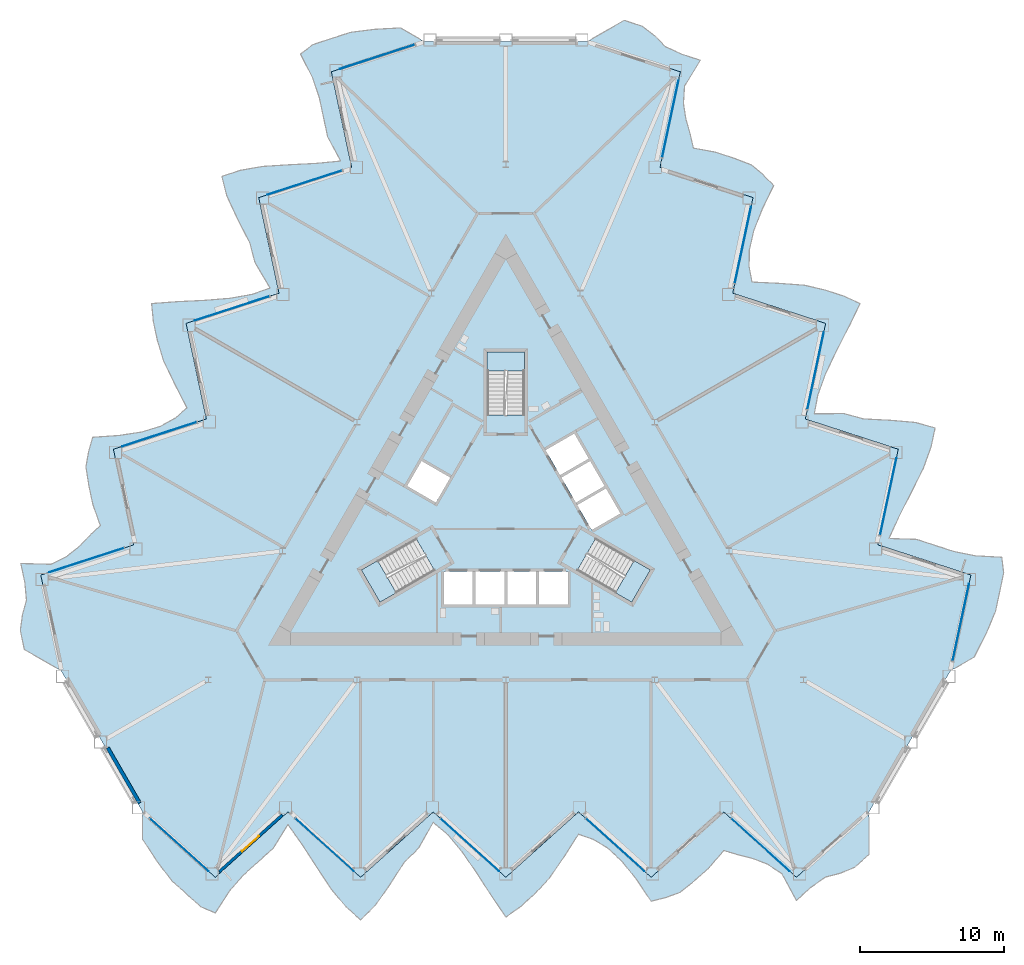
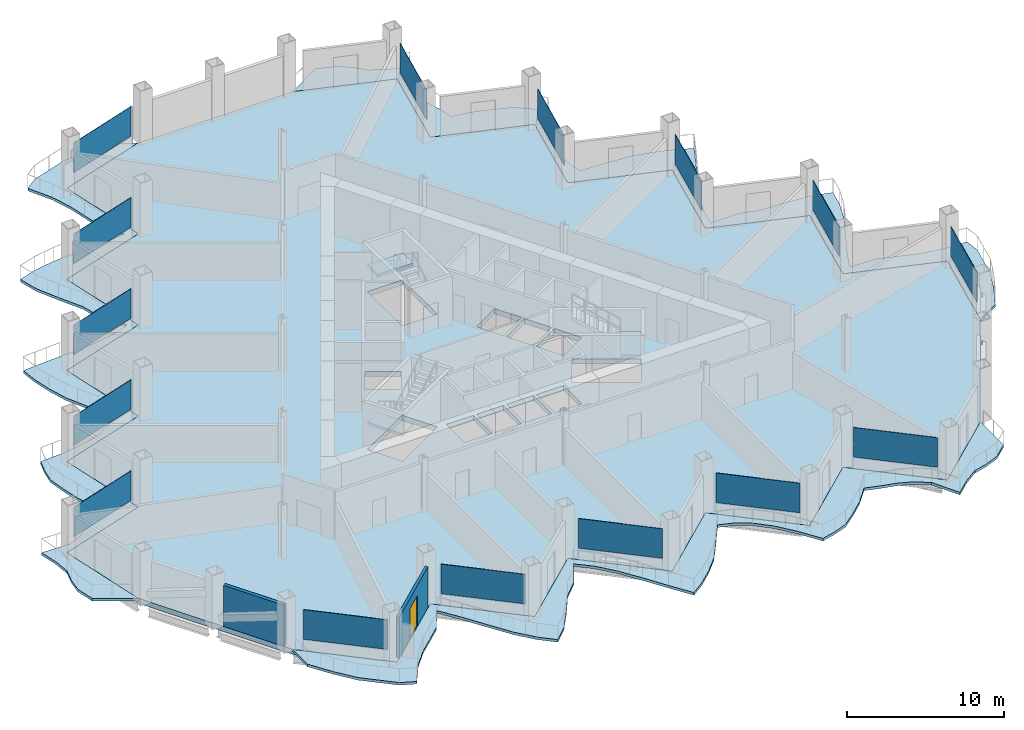
# One storey, part 9 of 21: 15 plates, 7 slabs, 2 walls, 1 door, 1 opening, 18 elements without a shape of their own.
"""IFC4 building model written with IfcOpenShell, lengths in metres."""

from ifc_helpers import new_model, si_unit, direction, frame, frame_2d, origin, origin_2d, place, context, subcontext, project, spatial, polyline, rectangle, outline, extrude, material, layer, layer_set, type_object, element, fill, aggregate, save


model = new_model("IFC4")

# Units and contexts
model_context = context("Model", 3, precision=1e-05, world=origin(), true_north=direction((0.0, 1.0)))
body_context = subcontext(model_context, "Body", "Model", "MODEL_VIEW")
ifc_project = project(units=[si_unit("LENGTHUNIT", "METRE"), si_unit("AREAUNIT", "SQUARE_METRE"), si_unit("VOLUMEUNIT", "CUBIC_METRE"), si_unit("PLANEANGLEUNIT", "RADIAN"), si_unit("MASSUNIT", "GRAM", prefix="KILO")], contexts=[model_context])

# Site, building, storey
site_placement = place(None, origin())
site = spatial("IfcSite", under=ifc_project, at=site_placement, CompositionType="ELEMENT")
building_placement = place(site_placement, origin())
building = spatial("IfcBuilding", under=site, at=building_placement, Name="Cormorant Prow Tower", CompositionType="ELEMENT")
storey_placement = place(building_placement, frame((0.0, 0.0, 133.199951171875)))
storey = spatial("IfcBuildingStorey", under=building, at=storey_placement, Name="L28", CompositionType="ELEMENT", Elevation=133.199951171875)

# Slabs
ifc_material_1 = material(Name="Concrete C40/50", Category="concrete")
ifc_layer_1 = layer(ifc_material_1, 0.199951171875)
ifc_layer_set_1 = layer_set([ifc_layer_1], Name="Concrete C40/50")
slab_type_1 = type_object("IfcSlabType", Name="Balcony slab 200", PredefinedType="FLOOR", material=ifc_layer_set_1)
slab_1_placement = place(storey_placement, frame((0.0, 0.0, -0.199951171875)))
element("IfcSlab", 1, at=slab_1_placement, inside=storey, type_object=slab_type_1, Name="Balcony slab S L28", PredefinedType="FLOOR", context=body_context, shape_type="SweptSolid", body=[
    extrude(outline(polyline([(-25.217041015625, -21.095947265625), (-25.217041015625, -22.995849609375), (-24.208251953125, -24.539306640625), (-23.19970703125, -25.8623046875), (-22.19091796875, -26.7705078125), (-21.18212890625, -27.6787109375), (-20.173583984375, -28.1103515625), (-19.164794921875, -26.558349609375), (-18.15625, -25.420654296875), (-17.1474609375, -24.512451171875), (-16.138916015625, -23.604248046875), (-15.130126953125, -21.97705078125), (-14.12158203125, -23.39453125), (-13.11279296875, -24.953369140625), (-12.104248046875, -26.47314453125), (-11.095458984375, -27.6787109375), (-10.086669921875, -28.5869140625), (-9.078125, -27.605224609375), (-8.0693359375, -26.1650390625), (-7.060791015625, -24.6015625), (-6.052001953125, -23.604248046875), (-5.04345703125, -21.8154296875), (-4.03466796875, -22.678466796875), (-3.026123046875, -23.881591796875), (-2.017333984375, -25.3427734375), (-1.0087890625, -26.908935546875), (0.0, -28.397216796875), (1.0087890625, -27.6787109375), (2.017333984375, -26.7705078125), (3.026123046875, -25.694580078125), (4.03466796875, -24.214111328125), (5.04345703125, -22.6474609375), (6.052001953125, -22.994140625), (7.060791015625, -23.593017578125), (8.0693359375, -24.530517578125), (9.078125, -25.7978515625), (10.086669921875, -27.2958984375), (11.095458984375, -27.04443359375), (12.104248046875, -26.677490234375), (13.11279296875, -25.8623046875), (14.12158203125, -24.9541015625), (15.130126953125, -23.772705078125), (16.138916015625, -24.07568359375), (17.1474609375, -24.330810546875), (18.15625, -24.7197265625), (19.164794921875, -25.38623046875), (20.173583984375, -27.237060546875), (21.18212890625, -26.328857421875), (22.19091796875, -25.619384765625), (23.19970703125, -25.3583984375), (24.208251953125, -24.94580078125), (25.217041015625, -24.0458984375), (25.217041015625, -21.095947265625), (24.208251953125, -22.004150390625), (23.19970703125, -22.912353515625), (22.19091796875, -23.820556640625), (21.18212890625, -24.728759765625), (20.173583984375, -25.636962890625), (19.164794921875, -24.728759765625), (18.15625, -23.820556640625), (17.1474609375, -22.912353515625), (16.138916015625, -22.004150390625), (15.130126953125, -21.095947265625), (14.12158203125, -22.004150390625), (13.11279296875, -22.912353515625), (12.104248046875, -23.820556640625), (11.095458984375, -24.728759765625), (10.086669921875, -25.636962890625), (9.078125, -24.728759765625), (8.0693359375, -23.820556640625), (7.060791015625, -22.912353515625), (6.052001953125, -22.004150390625), (5.04345703125, -21.095947265625), (4.03466796875, -22.004150390625), (3.026123046875, -22.912353515625), (2.017333984375, -23.820556640625), (1.0087890625, -24.728759765625), (0.0, -25.636962890625), (-1.0087890625, -24.728759765625), (-2.017333984375, -23.820556640625), (-3.026123046875, -22.912353515625), (-4.03466796875, -22.004150390625), (-5.04345703125, -21.095947265625), (-6.052001953125, -22.004150390625), (-7.060791015625, -22.912353515625), (-8.0693359375, -23.820556640625), (-9.078125, -24.728759765625), (-10.086669921875, -25.636962890625), (-11.095458984375, -24.728759765625), (-12.104248046875, -23.820556640625), (-13.11279296875, -22.912353515625), (-14.12158203125, -22.004150390625), (-15.130126953125, -21.095947265625), (-16.138916015625, -22.004150390625), (-17.1474609375, -22.912353515625), (-18.15625, -23.820556640625), (-19.164794921875, -24.728759765625), (-20.173583984375, -25.636962890625), (-21.18212890625, -24.728759765625), (-22.19091796875, -23.820556640625), (-23.19970703125, -22.912353515625), (-24.208251953125, -22.004150390625), (-25.217041015625, -21.095947265625)])), origin(), (0.0, 0.0, 1.0), 0.199951171875),
])
slab_2_placement = place(storey_placement, frame((0.0, 0.0, -0.199951171875)))
element("IfcSlab", 2, at=slab_2_placement, inside=storey, type_object=slab_type_1, Name="Balcony slab ENE L28", PredefinedType="FLOOR", context=body_context, shape_type="SweptSolid", body=[
    extrude(outline(polyline([(30.878173828125, -11.29052734375), (32.5234375, -10.340576171875), (33.355712890625, -8.6953125), (33.997314453125, -7.16015625), (34.279541015625, -5.83251953125), (34.561767578125, -4.5048828125), (34.43115234375, -3.41552734375), (32.58251953125, -3.318115234375), (31.093017578125, -3.013427734375), (29.802001953125, -2.593994140625), (28.51123046875, -2.174560546875), (26.59765625, -2.11474609375), (27.32080078125, -0.532470703125), (28.16650390625, 1.12060546875), (28.978515625, 2.754150390625), (29.518310546875, 4.23046875), (29.800537109375, 5.55810546875), (28.446044921875, 5.940673828125), (26.6943359375, 6.09423828125), (24.8359375, 6.18603515625), (23.4677734375, 6.560791015625), (21.41455078125, 6.5400390625), (21.657470703125, 7.84521484375), (22.195068359375, 9.320068359375), (22.956298828125, 10.92431640625), (23.80810546875, 12.580810546875), (24.5927734375, 14.19873046875), (23.46630859375, 14.712890625), (22.17529296875, 15.13232421875), (20.7392578125, 15.468017578125), (18.95263671875, 15.601318359375), (17.091552734375, 15.69140625), (16.887451171875, 16.73828125), (16.90185546875, 17.911376953125), (17.209228515625, 19.253662109375), (17.802734375, 20.7607421875), (18.595703125, 22.38330078125), (17.87353515625, 23.131103515625), (17.051513671875, 23.8212890625), (15.841064453125, 24.287109375), (14.55029296875, 24.70654296875), (13.022705078125, 24.989501953125), (12.780517578125, 26.014404296875), (12.497314453125, 27.015625), (12.329833984375, 28.08349609375), (12.40283203125, 29.29052734375), (13.501220703125, 31.08935546875), (12.210205078125, 31.5087890625), (11.091552734375, 32.027587890625), (10.361083984375, 32.7705078125), (9.49951171875, 33.437744140625), (8.2158203125, 33.861572265625), (5.6611328125, 32.386474609375), (6.951904296875, 31.967041015625), (8.242919921875, 31.547607421875), (9.53369140625, 31.128173828125), (10.82470703125, 30.708740234375), (12.115478515625, 30.289306640625), (11.833251953125, 28.961669921875), (11.551025390625, 27.634033203125), (11.26904296875, 26.306396484375), (10.98681640625, 24.978759765625), (10.70458984375, 23.651123046875), (11.995361328125, 23.231689453125), (13.286376953125, 22.812255859375), (14.5771484375, 22.392822265625), (15.8681640625, 21.973388671875), (17.158935546875, 21.553955078125), (16.876708984375, 20.226318359375), (16.594482421875, 18.898681640625), (16.312255859375, 17.571044921875), (16.030029296875, 16.243408203125), (15.748046875, 14.915771484375), (17.038818359375, 14.496337890625), (18.32958984375, 14.076904296875), (19.62060546875, 13.657470703125), (20.911376953125, 13.238037109375), (22.202392578125, 12.818603515625), (21.920166015625, 11.490966796875), (21.637939453125, 10.163330078125), (21.355712890625, 8.83544921875), (21.073486328125, 7.5078125), (20.791259765625, 6.18017578125), (22.082275390625, 5.7607421875), (23.373046875, 5.34130859375), (24.6640625, 4.921875), (25.954833984375, 4.50244140625), (27.24560546875, 4.0830078125), (26.963623046875, 2.75537109375), (26.681396484375, 1.427734375), (26.399169921875, 0.10009765625), (26.116943359375, -1.2275390625), (25.834716796875, -2.55517578125), (27.12548828125, -2.974609375), (28.41650390625, -3.39404296875), (29.707275390625, -3.8134765625), (30.998291015625, -4.23291015625), (32.2890625, -4.65234375), (32.0068359375, -5.97998046875), (31.724609375, -7.3076171875), (31.4423828125, -8.63525390625), (31.160400390625, -9.962890625), (30.878173828125, -11.29052734375)])), origin(), (0.0, 0.0, 1.0), 0.199951171875),
])
slab_3_placement = place(storey_placement, frame((0.0, 0.0, -0.199951171875)))
element("IfcSlab", 3, at=slab_3_placement, inside=storey, type_object=slab_type_1, Name="Balcony slab WNW L28", PredefinedType="FLOOR", context=body_context, shape_type="SweptSolid", body=[
    extrude(outline(polyline([(-5.6611328125, 32.386474609375), (-7.306640625, 33.33642578125), (-9.1474609375, 33.234619140625), (-10.797607421875, 33.022705078125), (-12.088623046875, 32.603271484375), (-13.37939453125, 32.183837890625), (-14.257568359375, 31.526123046875), (-13.417724609375, 29.87646484375), (-12.936767578125, 28.43408203125), (-12.654541015625, 27.1064453125), (-12.372314453125, 25.77880859375), (-11.467529296875, 24.091552734375), (-13.199462890625, 23.9267578125), (-15.0537109375, 23.832763671875), (-16.874267578125, 23.718994140625), (-18.4228515625, 23.4482421875), (-19.713623046875, 23.02880859375), (-19.367919921875, 21.66455078125), (-18.625, 20.07080078125), (-17.775146484375, 18.41552734375), (-17.415771484375, 17.043212890625), (-16.37109375, 15.275390625), (-17.622802734375, 14.83349609375), (-19.1689453125, 14.561279296875), (-20.938720703125, 14.41845703125), (-22.79931640625, 14.327880859375), (-24.5927734375, 14.19873046875), (-24.474853515625, 12.9658203125), (-24.192626953125, 11.63818359375), (-23.76513671875, 10.226806640625), (-22.9873046875, 8.61279296875), (-22.135009765625, 6.9560546875), (-22.939453125, 6.255859375), (-23.962646484375, 5.681884765625), (-25.27880859375, 5.27685546875), (-26.880859375, 5.037109375), (-28.682373046875, 4.91259765625), (-28.968994140625, 3.913330078125), (-29.155517578125, 2.856201171875), (-28.953857421875, 1.5751953125), (-28.671630859375, 0.24755859375), (-28.15283203125, -1.216796875), (-28.91943359375, -1.93896484375), (-29.644775390625, -2.684814453125), (-30.486083984375, -3.36376953125), (-31.567626953125, -3.904052734375), (-33.6748046875, -3.852294921875), (-33.392578125, -5.179931640625), (-33.282470703125, -6.408203125), (-33.560791015625, -7.412353515625), (-33.707763671875, -8.4921875), (-33.432861328125, -9.8154296875), (-30.878173828125, -11.29052734375), (-31.160400390625, -9.962890625), (-31.4423828125, -8.63525390625), (-31.724609375, -7.3076171875), (-32.0068359375, -5.97998046875), (-32.2890625, -4.65234375), (-30.998291015625, -4.23291015625), (-29.707275390625, -3.8134765625), (-28.41650390625, -3.39404296875), (-27.12548828125, -2.974609375), (-25.834716796875, -2.55517578125), (-26.116943359375, -1.2275390625), (-26.399169921875, 0.10009765625), (-26.681396484375, 1.427734375), (-26.963623046875, 2.75537109375), (-27.24560546875, 4.0830078125), (-25.954833984375, 4.50244140625), (-24.6640625, 4.921875), (-23.373046875, 5.34130859375), (-22.082275390625, 5.7607421875), (-20.791259765625, 6.18017578125), (-21.073486328125, 7.5078125), (-21.355712890625, 8.83544921875), (-21.637939453125, 10.163330078125), (-21.920166015625, 11.490966796875), (-22.202392578125, 12.818603515625), (-20.911376953125, 13.238037109375), (-19.62060546875, 13.657470703125), (-18.32958984375, 14.076904296875), (-17.038818359375, 14.496337890625), (-15.748046875, 14.915771484375), (-16.030029296875, 16.243408203125), (-16.312255859375, 17.571044921875), (-16.594482421875, 18.898681640625), (-16.876708984375, 20.226318359375), (-17.158935546875, 21.553955078125), (-15.8681640625, 21.973388671875), (-14.5771484375, 22.392822265625), (-13.286376953125, 22.812255859375), (-11.995361328125, 23.231689453125), (-10.70458984375, 23.651123046875), (-10.98681640625, 24.978759765625), (-11.26904296875, 26.306396484375), (-11.551025390625, 27.634033203125), (-11.833251953125, 28.961669921875), (-12.115478515625, 30.289306640625), (-10.82470703125, 30.708740234375), (-9.53369140625, 31.128173828125), (-8.242919921875, 31.547607421875), (-6.951904296875, 31.967041015625), (-5.6611328125, 32.386474609375)])), origin(), (0.0, 0.0, 1.0), 0.199951171875),
])

# Curtain wall, plate
ifc_material_2 = material(Name="Aluminium 6063-T6", Category="aluminium")
ifc_layer_2 = layer(ifc_material_2, 0.199951171875)
ifc_layer_set_2 = layer_set([ifc_layer_2], Name="Aluminium 6063-T6")
curtain_wall_type = type_object("IfcCurtainWallType", Name="Office unitised curtain wall 200", PredefinedType="NOTDEFINED", material=ifc_layer_set_2)
curtain_wall_1_placement = place(storey_placement, origin())
curtain_wall_1 = element("IfcCurtainWall", 4, at=curtain_wall_1_placement, inside=storey, type_object=curtain_wall_type, Name="Office curtain wall S00", PredefinedType="NOTDEFINED")
ifc_material_3 = material(Name="Clear glass", Category="glass")
ifc_layer_3 = layer(ifc_material_3, 0.031982421875)
ifc_layer_set_3 = layer_set([ifc_layer_3], Name="Clear glass")
plate_type = type_object("IfcPlateType", Name="Office glass panel 32", PredefinedType="CURTAIN_PANEL", material=ifc_layer_set_3)
plate_1_placement = place(storey_placement, frame((-22.6728515625, -23.386474609375, 0.89990234375), z_axis=(0.0, 0.0, 1.0), x_axis=(0.743144873348, -0.669130553193, 0.0)))
plate_1 = element("IfcPlate", 5, at=plate_1_placement, type_object=plate_type, Name="Office glass panel S00", PredefinedType="CURTAIN_PANEL", context=body_context, shape_type="SweptSolid", body=[
    extrude(rectangle(XDim=5.45458984375, YDim=0.031982421875, at=origin_2d()), origin(), (0.0, 0.0, 1.0), 2.288818359375),
])
aggregate(curtain_wall_1, [plate_1])

curtain_wall_2_placement = place(storey_placement, origin())
curtain_wall_2 = element("IfcCurtainWall", 6, at=curtain_wall_2_placement, inside=storey, type_object=curtain_wall_type, Name="Office curtain wall S02", PredefinedType="NOTDEFINED")
plate_2_placement = place(storey_placement, frame((-12.586181640625, -23.386474609375, 0.89990234375), z_axis=(0.0, 0.0, 1.0), x_axis=(0.743144807376, -0.669130626463, 0.0)))
plate_2 = element("IfcPlate", 7, at=plate_2_placement, type_object=plate_type, Name="Office glass panel S02", PredefinedType="CURTAIN_PANEL", context=body_context, shape_type="SweptSolid", body=[
    extrude(rectangle(XDim=5.45458984375, YDim=0.031982421875, at=origin_2d()), origin(), (0.0, 0.0, 1.0), 2.288818359375),
])
aggregate(curtain_wall_2, [plate_2])

curtain_wall_3_placement = place(storey_placement, origin())
curtain_wall_3 = element("IfcCurtainWall", 8, at=curtain_wall_3_placement, inside=storey, type_object=curtain_wall_type, Name="Office curtain wall S04", PredefinedType="NOTDEFINED")
plate_3_placement = place(storey_placement, frame((-2.49951171875, -23.386474609375, 0.89990234375), z_axis=(0.0, 0.0, 1.0), x_axis=(0.743144807376, -0.669130626463, 0.0)))
plate_3 = element("IfcPlate", 9, at=plate_3_placement, type_object=plate_type, Name="Office glass panel S04", PredefinedType="CURTAIN_PANEL", context=body_context, shape_type="SweptSolid", body=[
    extrude(rectangle(XDim=5.45458984375, YDim=0.031982421875, at=origin_2d()), origin(), (0.0, 0.0, 1.0), 2.288818359375),
])
aggregate(curtain_wall_3, [plate_3])

curtain_wall_4_placement = place(storey_placement, origin())
curtain_wall_4 = element("IfcCurtainWall", 10, at=curtain_wall_4_placement, inside=storey, type_object=curtain_wall_type, Name="Office curtain wall S06", PredefinedType="NOTDEFINED")
plate_4_placement = place(storey_placement, frame((7.58740234375, -23.386474609375, 0.89990234375), z_axis=(0.0, 0.0, 1.0), x_axis=(0.743144807376, -0.669130626463, 0.0)))
plate_4 = element("IfcPlate", 11, at=plate_4_placement, type_object=plate_type, Name="Office glass panel S06", PredefinedType="CURTAIN_PANEL", context=body_context, shape_type="SweptSolid", body=[
    extrude(rectangle(XDim=5.45458984375, YDim=0.031982421875, at=origin_2d()), origin(), (0.0, 0.0, 1.0), 2.288818359375),
])
aggregate(curtain_wall_4, [plate_4])

curtain_wall_5_placement = place(storey_placement, origin())
curtain_wall_5 = element("IfcCurtainWall", 12, at=curtain_wall_5_placement, inside=storey, type_object=curtain_wall_type, Name="Office curtain wall S08", PredefinedType="NOTDEFINED")
plate_5_placement = place(storey_placement, frame((17.674072265625, -23.386474609375, 0.89990234375), z_axis=(0.0, 0.0, 1.0), x_axis=(0.743144807376, -0.669130626463, 0.0)))
plate_5 = element("IfcPlate", 13, at=plate_5_placement, type_object=plate_type, Name="Office glass panel S08", PredefinedType="CURTAIN_PANEL", context=body_context, shape_type="SweptSolid", body=[
    extrude(rectangle(XDim=5.45458984375, YDim=0.031982421875, at=origin_2d()), origin(), (0.0, 0.0, 1.0), 2.288818359375),
])
aggregate(curtain_wall_5, [plate_5])

curtain_wall_6_placement = place(storey_placement, origin())
curtain_wall_6 = element("IfcCurtainWall", 14, at=curtain_wall_6_placement, inside=storey, type_object=curtain_wall_type, Name="Office curtain wall ENE00", PredefinedType="NOTDEFINED")
plate_6_placement = place(storey_placement, frame((31.58984375, -7.942138671875, 0.89990234375), z_axis=(0.0, 0.0, 1.0), x_axis=(0.207911666798, 0.978147605839, 0.0)))
plate_6 = element("IfcPlate", 15, at=plate_6_placement, type_object=plate_type, Name="Office glass panel ENE00", PredefinedType="CURTAIN_PANEL", context=body_context, shape_type="SweptSolid", body=[
    extrude(rectangle(XDim=5.45458984375, YDim=0.031982421875, at=origin_2d()), origin(), (0.0, 0.0, 1.0), 2.288818359375),
])
aggregate(curtain_wall_6, [plate_6])

curtain_wall_7_placement = place(storey_placement, origin())
curtain_wall_7 = element("IfcCurtainWall", 16, at=curtain_wall_7_placement, inside=storey, type_object=curtain_wall_type, Name="Office curtain wall ENE02", PredefinedType="NOTDEFINED")
plate_7_placement = place(storey_placement, frame((26.54638671875, 0.793212890625, 0.89990234375), z_axis=(0.0, 0.0, 1.0), x_axis=(0.207911666798, 0.978147605839, 0.0)))
plate_7 = element("IfcPlate", 17, at=plate_7_placement, type_object=plate_type, Name="Office glass panel ENE02", PredefinedType="CURTAIN_PANEL", context=body_context, shape_type="SweptSolid", body=[
    extrude(rectangle(XDim=5.45458984375, YDim=0.031982421875, at=origin_2d()), origin(), (0.0, 0.0, 1.0), 2.288818359375),
])
aggregate(curtain_wall_7, [plate_7])

curtain_wall_8_placement = place(storey_placement, origin())
curtain_wall_8 = element("IfcCurtainWall", 18, at=curtain_wall_8_placement, inside=storey, type_object=curtain_wall_type, Name="Office curtain wall ENE04", PredefinedType="NOTDEFINED")
plate_8_placement = place(storey_placement, frame((21.503173828125, 9.52880859375, 0.89990234375), z_axis=(0.0, 0.0, 1.0), x_axis=(0.207911666798, 0.978147605839, 0.0)))
plate_8 = element("IfcPlate", 19, at=plate_8_placement, type_object=plate_type, Name="Office glass panel ENE04", PredefinedType="CURTAIN_PANEL", context=body_context, shape_type="SweptSolid", body=[
    extrude(rectangle(XDim=5.45458984375, YDim=0.031982421875, at=origin_2d()), origin(), (0.0, 0.0, 1.0), 2.288818359375),
])
aggregate(curtain_wall_8, [plate_8])

curtain_wall_9_placement = place(storey_placement, origin())
curtain_wall_9 = element("IfcCurtainWall", 20, at=curtain_wall_9_placement, inside=storey, type_object=curtain_wall_type, Name="Office curtain wall ENE06", PredefinedType="NOTDEFINED")
plate_9_placement = place(storey_placement, frame((16.459716796875, 18.26416015625, 0.89990234375), z_axis=(0.0, 0.0, 1.0), x_axis=(0.207911636836, 0.978147612208, 0.0)))
plate_9 = element("IfcPlate", 21, at=plate_9_placement, type_object=plate_type, Name="Office glass panel ENE06", PredefinedType="CURTAIN_PANEL", context=body_context, shape_type="SweptSolid", body=[
    extrude(rectangle(XDim=5.45458984375, YDim=0.031982421875, at=origin_2d()), origin(), (0.0, 0.0, 1.0), 2.288818359375),
])
aggregate(curtain_wall_9, [plate_9])

curtain_wall_10_placement = place(storey_placement, origin())
curtain_wall_10 = element("IfcCurtainWall", 22, at=curtain_wall_10_placement, inside=storey, type_object=curtain_wall_type, Name="Office curtain wall ENE08", PredefinedType="NOTDEFINED")
plate_10_placement = place(storey_placement, frame((11.416259765625, 26.99951171875, 0.89990234375), z_axis=(0.0, 0.0, 1.0), x_axis=(0.207911636836, 0.978147612208, 0.0)))
plate_10 = element("IfcPlate", 23, at=plate_10_placement, type_object=plate_type, Name="Office glass panel ENE08", PredefinedType="CURTAIN_PANEL", context=body_context, shape_type="SweptSolid", body=[
    extrude(rectangle(XDim=5.45458984375, YDim=0.031982421875, at=origin_2d()), origin(), (0.0, 0.0, 1.0), 2.288818359375),
])
aggregate(curtain_wall_10, [plate_10])

curtain_wall_11_placement = place(storey_placement, origin())
curtain_wall_11 = element("IfcCurtainWall", 24, at=curtain_wall_11_placement, inside=storey, type_object=curtain_wall_type, Name="Office curtain wall WNW00", PredefinedType="NOTDEFINED")
plate_11_placement = place(storey_placement, frame((-8.9169921875, 31.32861328125, 0.89990234375), z_axis=(0.0, 0.0, 1.0), x_axis=(-0.951056548245, -0.309016896042, 0.0)))
plate_11 = element("IfcPlate", 25, at=plate_11_placement, type_object=plate_type, Name="Office glass panel WNW00", PredefinedType="CURTAIN_PANEL", context=body_context, shape_type="SweptSolid", body=[
    extrude(rectangle(XDim=5.45458984375, YDim=0.031982421875, at=origin_2d()), origin(), (0.0, 0.0, 1.0), 2.288818359375),
])
aggregate(curtain_wall_11, [plate_11])

curtain_wall_12_placement = place(storey_placement, origin())
curtain_wall_12 = element("IfcCurtainWall", 26, at=curtain_wall_12_placement, inside=storey, type_object=curtain_wall_type, Name="Office curtain wall WNW02", PredefinedType="NOTDEFINED")
plate_12_placement = place(storey_placement, frame((-13.960205078125, 22.59326171875, 0.89990234375), z_axis=(0.0, 0.0, 1.0), x_axis=(-0.95105653418, -0.309016939332, 0.0)))
plate_12 = element("IfcPlate", 27, at=plate_12_placement, type_object=plate_type, Name="Office glass panel WNW02", PredefinedType="CURTAIN_PANEL", context=body_context, shape_type="SweptSolid", body=[
    extrude(rectangle(XDim=5.45458984375, YDim=0.031982421875, at=origin_2d()), origin(), (0.0, 0.0, 1.0), 2.288818359375),
])
aggregate(curtain_wall_12, [plate_12])

curtain_wall_13_placement = place(storey_placement, origin())
curtain_wall_13 = element("IfcCurtainWall", 28, at=curtain_wall_13_placement, inside=storey, type_object=curtain_wall_type, Name="Office curtain wall WNW04", PredefinedType="NOTDEFINED")
plate_13_placement = place(storey_placement, frame((-19.003662109375, 13.85791015625, 0.89990234375), z_axis=(0.0, 0.0, 1.0), x_axis=(-0.95105653418, -0.309016939332, 0.0)))
plate_13 = element("IfcPlate", 29, at=plate_13_placement, type_object=plate_type, Name="Office glass panel WNW04", PredefinedType="CURTAIN_PANEL", context=body_context, shape_type="SweptSolid", body=[
    extrude(rectangle(XDim=5.45458984375, YDim=0.031982421875, at=origin_2d()), origin(), (0.0, 0.0, 1.0), 2.288818359375),
])
aggregate(curtain_wall_13, [plate_13])

curtain_wall_14_placement = place(storey_placement, origin())
curtain_wall_14 = element("IfcCurtainWall", 30, at=curtain_wall_14_placement, inside=storey, type_object=curtain_wall_type, Name="Office curtain wall WNW06", PredefinedType="NOTDEFINED")
plate_14_placement = place(storey_placement, frame((-24.047119140625, 5.122314453125, 0.89990234375), z_axis=(0.0, 0.0, 1.0), x_axis=(-0.951056490871, -0.309017072623, 0.0)))
plate_14 = element("IfcPlate", 31, at=plate_14_placement, type_object=plate_type, Name="Office glass panel WNW06", PredefinedType="CURTAIN_PANEL", context=body_context, shape_type="SweptSolid", body=[
    extrude(rectangle(XDim=5.45458984375, YDim=0.031982421875, at=origin_2d()), origin(), (0.0, 0.0, 1.0), 2.288818359375),
])
aggregate(curtain_wall_14, [plate_14])

curtain_wall_15_placement = place(storey_placement, origin())
curtain_wall_15 = element("IfcCurtainWall", 32, at=curtain_wall_15_placement, inside=storey, type_object=curtain_wall_type, Name="Office curtain wall WNW08", PredefinedType="NOTDEFINED")
plate_15_placement = place(storey_placement, frame((-29.09033203125, -3.613037109375, 0.89990234375), z_axis=(0.0, 0.0, 1.0), x_axis=(-0.951056490871, -0.309017072623, 0.0)))
plate_15 = element("IfcPlate", 33, at=plate_15_placement, type_object=plate_type, Name="Office glass panel WNW08", PredefinedType="CURTAIN_PANEL", context=body_context, shape_type="SweptSolid", body=[
    extrude(rectangle(XDim=5.45458984375, YDim=0.031982421875, at=origin_2d()), origin(), (0.0, 0.0, 1.0), 2.288818359375),
])
aggregate(curtain_wall_15, [plate_15])

# Slab
ifc_material_4 = material(Name="Concrete C40/50", Category="concrete")
ifc_layer_4 = layer(ifc_material_4, 0.39990234375)
ifc_layer_set_4 = layer_set([ifc_layer_4], Name="Concrete C40/50")
slab_type_2 = type_object("IfcSlabType", Name="Post-tensioned flat slab 400", PredefinedType="FLOOR", material=ifc_layer_set_4)
slab_4_placement = place(storey_placement, frame((0.0, 0.0, -0.39990234375)))
element("IfcSlab", 34, at=slab_4_placement, inside=storey, type_object=slab_type_2, Name="Floor slab L28", PredefinedType="FLOOR", context=body_context, shape_type="SweptSolid", body=[
    extrude(outline(polyline([(-12.115478515625, 30.289306640625), (-10.70458984375, 23.651123046875), (-17.158935546875, 21.553955078125), (-15.748046875, 14.915771484375), (-22.202392578125, 12.818603515625), (-20.791259765625, 6.18017578125), (-27.24560546875, 4.0830078125), (-25.834716796875, -2.55517578125), (-32.2890625, -4.65234375), (-30.878173828125, -11.29052734375), (-28.047607421875, -16.193359375), (-25.217041015625, -21.095947265625), (-20.173583984375, -25.636962890625), (-15.130126953125, -21.095947265625), (-10.086669921875, -25.636962890625), (-5.04345703125, -21.095947265625), (0.0, -25.636962890625), (5.04345703125, -21.095947265625), (10.086669921875, -25.636962890625), (15.130126953125, -21.095947265625), (20.173583984375, -25.636962890625), (25.217041015625, -21.095947265625), (28.047607421875, -16.193359375), (30.878173828125, -11.29052734375), (32.2890625, -4.65234375), (25.834716796875, -2.55517578125), (27.24560546875, 4.0830078125), (20.791259765625, 6.18017578125), (22.202392578125, 12.818603515625), (15.748046875, 14.915771484375), (17.158935546875, 21.553955078125), (10.70458984375, 23.651123046875), (12.115478515625, 30.289306640625), (5.6611328125, 32.386474609375), (0.0, 32.386474609375), (-5.6611328125, 32.386474609375), (-12.115478515625, 30.289306640625)]), holes=[polyline([(-4.300048828125, -6.699951171875), (-4.300048828125, -4.39990234375), (-2.300048828125, -4.39990234375), (-2.300048828125, -6.699951171875), (-4.300048828125, -6.699951171875)]), polyline([(-2.10009765625, -4.39990234375), (-0.10009765625, -4.39990234375), (-0.10009765625, -6.699951171875), (-2.10009765625, -6.699951171875), (-2.10009765625, -4.39990234375)]), polyline([(2.10009765625, -4.39990234375), (2.10009765625, -6.699951171875), (0.10009765625, -6.699951171875), (0.10009765625, -4.39990234375), (2.10009765625, -4.39990234375)]), polyline([(4.300048828125, -6.699951171875), (2.300048828125, -6.699951171875), (2.300048828125, -4.39990234375), (4.300048828125, -4.39990234375), (4.300048828125, -6.699951171875)]), polyline([(7.952392578125, -0.373779296875), (5.96044921875, -1.52392578125), (4.96044921875, 0.2080078125), (6.952392578125, 1.358154296875), (7.952392578125, -0.373779296875)]), polyline([(4.860595703125, 0.38134765625), (3.860595703125, 2.11328125), (5.852294921875, 3.263427734375), (6.852294921875, 1.53125), (4.860595703125, 0.38134765625)]), polyline([(2.760498046875, 4.018798828125), (4.75244140625, 5.168701171875), (5.75244140625, 3.4365234375), (3.760498046875, 2.28662109375), (2.760498046875, 4.018798828125)]), polyline([(-6.852294921875, 1.53125), (-5.852294921875, 3.263427734375), (-3.860595703125, 2.11328125), (-4.860595703125, 0.38134765625), (-6.852294921875, 1.53125)]), polyline([(-4.947509765625, -4.3505859375), (-8.738037109375, -6.5390625), (-10.031982421875, -4.2978515625), (-6.241455078125, -2.109375), (-4.947509765625, -4.3505859375)]), polyline([(10.031982421875, -4.2978515625), (8.738037109375, -6.5390625), (4.947509765625, -4.3505859375), (6.241455078125, -2.109375), (10.031982421875, -4.2978515625)]), polyline([(1.2939453125, 10.8369140625), (1.2939453125, 6.459716796875), (-1.2939453125, 6.459716796875), (-1.2939453125, 10.8369140625), (1.2939453125, 10.8369140625)])]), origin(), (0.0, 0.0, 1.0), 0.39990234375),
])

# Stair, slab
ifc_material_5 = material(Name="Exit stair 24 risers")
stair_type = type_object("IfcStairType", Name="Exit stair 24 risers", PredefinedType="HALF_TURN_STAIR", material=ifc_material_5)
stair_1_placement = place(storey_placement, origin())
stair_1 = element("IfcStair", 35, at=stair_1_placement, inside=storey, type_object=stair_type, Name="L28 Exit stair ST1", PredefinedType="HALF_TURN_STAIR")
ifc_material_6 = material(Name="Concrete 5000 psi", Category="concrete")
ifc_layer_5 = layer(ifc_material_6, 0.199951171875)
ifc_layer_set_5 = layer_set([ifc_layer_5], Name="Concrete 5000 psi")
slab_type_3 = type_object("IfcSlabType", Name="Stair landing 200", PredefinedType="LANDING", material=ifc_layer_set_5)
slab_5_placement = place(storey_placement, frame((0.0, 0.0, 1.900146484375)))
slab_5 = element("IfcSlab", 36, at=slab_5_placement, type_object=slab_type_3, Name="ST1 landing 1", PredefinedType="LANDING", context=body_context, shape_type="SweptSolid", body=[
    extrude(outline(polyline([(-8.90185546875, -3.645263671875), (-10.031982421875, -4.2978515625), (-8.738037109375, -6.5390625), (-7.60791015625, -5.886474609375), (-8.90185546875, -3.645263671875)])), origin(), (0.0, 0.0, 1.0), 0.199951171875),
])
aggregate(stair_1, [slab_5])

stair_2_placement = place(storey_placement, origin())
stair_2 = element("IfcStair", 37, at=stair_2_placement, inside=storey, type_object=stair_type, Name="L28 Exit stair ST2", PredefinedType="HALF_TURN_STAIR")
slab_6_placement = place(storey_placement, frame((0.0, 0.0, 1.900146484375)))
slab_6 = element("IfcSlab", 38, at=slab_6_placement, type_object=slab_type_3, Name="ST2 landing 1", PredefinedType="LANDING", context=body_context, shape_type="SweptSolid", body=[
    extrude(outline(polyline([(7.60791015625, -5.886474609375), (8.738037109375, -6.5390625), (10.031982421875, -4.2978515625), (8.90185546875, -3.645263671875), (7.60791015625, -5.886474609375)])), origin(), (0.0, 0.0, 1.0), 0.199951171875),
])
aggregate(stair_2, [slab_6])

stair_3_placement = place(storey_placement, origin())
stair_3 = element("IfcStair", 39, at=stair_3_placement, inside=storey, type_object=stair_type, Name="L28 Exit stair ST3", PredefinedType="HALF_TURN_STAIR")
slab_7_placement = place(storey_placement, frame((0.0, 0.0, 1.900146484375)))
slab_7 = element("IfcSlab", 40, at=slab_7_placement, type_object=slab_type_3, Name="ST3 landing 1", PredefinedType="LANDING", context=body_context, shape_type="SweptSolid", body=[
    extrude(outline(polyline([(1.2939453125, 9.53173828125), (1.2939453125, 10.8369140625), (-1.2939453125, 10.8369140625), (-1.2939453125, 9.53173828125), (1.2939453125, 9.53173828125)])), origin(), (0.0, 0.0, 1.0), 0.199951171875),
])
aggregate(stair_3, [slab_7])

# Wall
ifc_material_7 = material(Name="Terracotta", Category="masonry")
ifc_layer_6 = layer(ifc_material_7, 0.25)
ifc_layer_set_6 = layer_set([ifc_layer_6], Name="Terracotta")
wall_type_1 = type_object("IfcWallType", Name="Terracotta bay wall 250", PredefinedType="SOLIDWALL", material=ifc_layer_set_6)
wall_1_placement = place(storey_placement, frame((-27.64111328125, -16.64697265625, 0.0), z_axis=(0.0, 0.0, 1.0), x_axis=(0.499968989506, -0.866043306961, 0.0)))
element("IfcWall", 41, at=wall_1_placement, inside=storey, type_object=wall_type_1, Name="Terracotta bay wall WSW01", PredefinedType="SOLIDWALL", context=body_context, shape_type="SweptSolid", body=[
    extrude(rectangle(XDim=4.428955078125, YDim=0.25, at=frame_2d((2.21435546875, 0.0))), origin(), (0.0, 0.0, 1.0), 3.18896484375),
])

# Wall, opening, door
ifc_material_8 = material(Name="Terracotta", Category="masonry")
ifc_layer_7 = layer(ifc_material_8, 0.199951171875)
ifc_layer_set_7 = layer_set([ifc_layer_7], Name="Terracotta")
wall_type_2 = type_object("IfcWallType", Name="Terracotta jamb wall 200", PredefinedType="SOLIDWALL", material=ifc_layer_set_7)
wall_2_placement = place(storey_placement, frame((-19.896240234375, -25.252685546875, 0.0), z_axis=(0.0, 0.0, 1.0), x_axis=(0.743157926671, 0.669116055723, 0.0)))
wall_2 = element("IfcWall", 42, at=wall_2_placement, inside=storey, type_object=wall_type_2, Name="Terracotta jamb wall S01", PredefinedType="SOLIDWALL", context=body_context, shape_type="SweptSolid", body=[
    extrude(rectangle(XDim=5.88232421875, YDim=0.199951171875, at=frame_2d((2.941162109375, 0.0))), origin(), (0.0, 0.0, 1.0), 3.18896484375),
])
opening_placement = place(wall_2_placement, frame((2.130126953125, 0.0, 0.0)))
opening = element("IfcOpeningElement", 43, at=opening_placement, cuts=wall_2, Name="Opening ED28.01", PredefinedType="OPENING", context=body_context, shape_type="SweptSolid", body=[
    extrude(rectangle(XDim=1.60009765625, YDim=2.39990234375, at=frame_2d((0.800048828125, 1.199951171875))), frame((0.0, 0.10986328125, 0.0), z_axis=(0.0, -1.0, 0.0), x_axis=(1.0, 0.0, 0.0)), (0.0, 0.0, 1.0), 0.219970703125),
])
ifc_material_9 = material(Name="Aluminium 6063-T6", Category="aluminium")
door_type = type_object("IfcDoorType", Name="Balcony door 1600x2400", OperationType="DOUBLE_DOOR_SINGLE_SWING", PredefinedType="DOOR", material=ifc_material_9)
door_placement = place(opening_placement, origin())
door = element("IfcDoor", 44, at=door_placement, inside=storey, type_object=door_type, Name="Balcony door S01 ED28.01", OperationType="DOUBLE_DOOR_SINGLE_SWING", OverallHeight=2.39990234375, OverallWidth=1.60009765625, PredefinedType="DOOR", context=body_context, shape_type="SweptSolid", body=[
    extrude(rectangle(XDim=1.60009765625, YDim=2.39990234375, at=frame_2d((0.800048828125, 1.199951171875))), frame((0.0, 0.02490234375, 0.0), z_axis=(0.0, -1.0, 0.0), x_axis=(1.0, 0.0, 0.0)), (0.0, 0.0, 1.0), 0.050048828125),
])
fill(opening, door)

save(model, "model.ifc")
